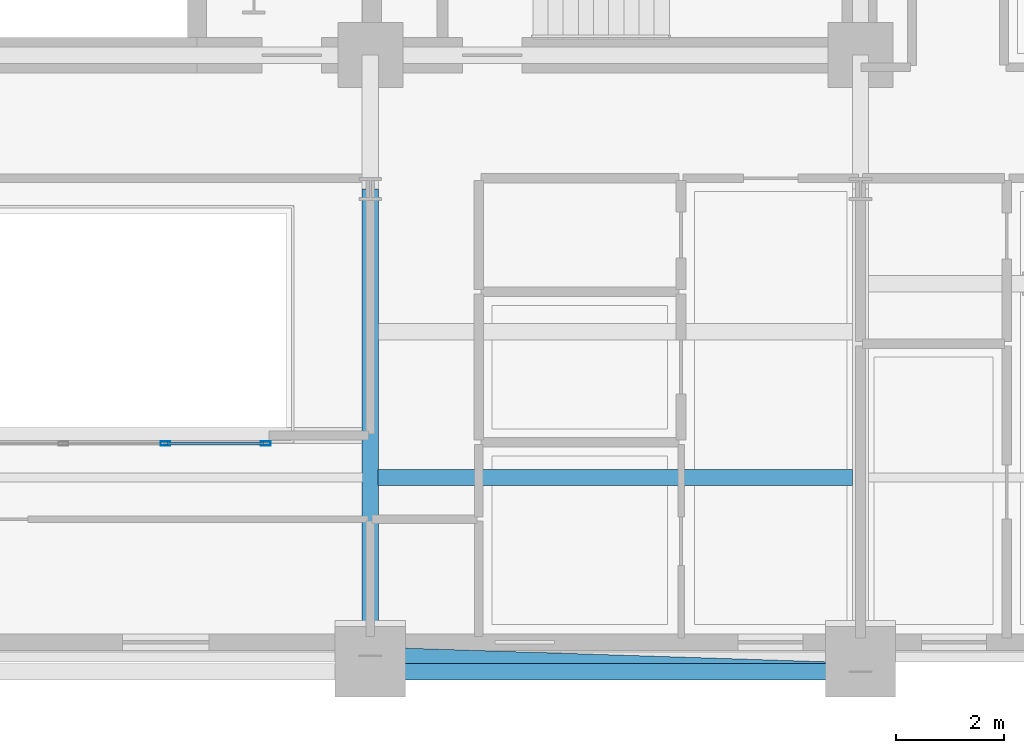
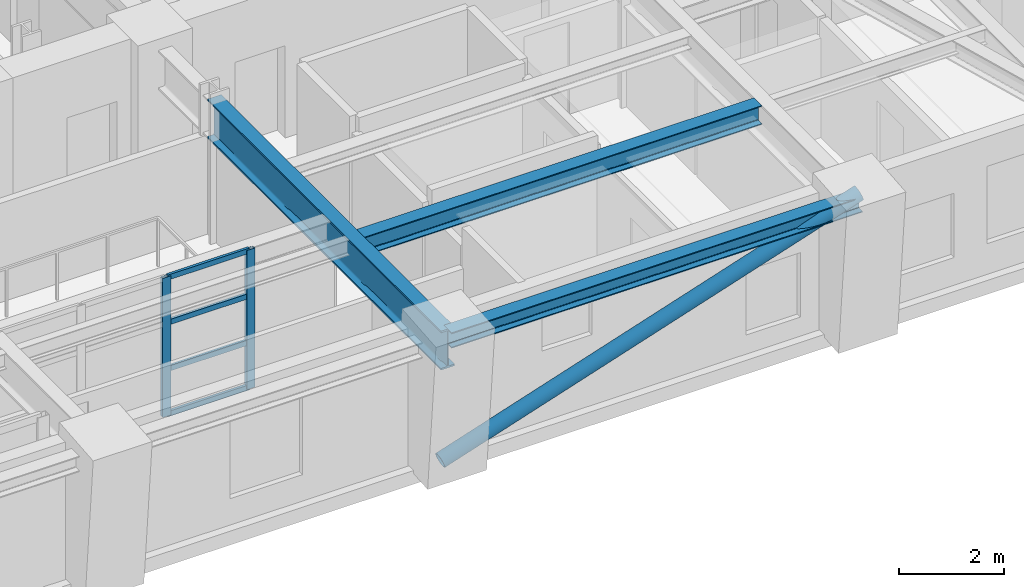
# One storey, part 5 of 16: 7 members, 3 beams, 1 element without a shape of its own.
"""IFC4 building model written with IfcOpenShell, lengths in metres."""

from ifc_helpers import new_model, si_unit, direction, frame, origin, origin_2d, place, context, subcontext, project, spatial, hollow_rectangle, hollow_circle, i_section, extrude, material, layer, layer_set, material_profile, profile_set, type_object, element, aggregate, save


model = new_model("IFC4")

# Units and contexts
model_context = context("Model", 3, precision=1e-05, world=origin(), true_north=direction((0.0, 1.0)))
body_context = subcontext(model_context, "Body", "Model", "MODEL_VIEW")
ifc_project = project(units=[si_unit("LENGTHUNIT", "METRE"), si_unit("AREAUNIT", "SQUARE_METRE"), si_unit("VOLUMEUNIT", "CUBIC_METRE"), si_unit("PLANEANGLEUNIT", "RADIAN"), si_unit("MASSUNIT", "GRAM", prefix="KILO")], contexts=[model_context])

# Site, building, storey
site_placement = place(None, origin())
site = spatial("IfcSite", under=ifc_project, at=site_placement, CompositionType="ELEMENT")
building_placement = place(site_placement, origin())
building = spatial("IfcBuilding", under=site, at=building_placement, Name="Zarnavel Station Tower", CompositionType="ELEMENT")
storey_placement = place(building_placement, frame((0.0, 0.0, 104.800048828125)))
storey = spatial("IfcBuildingStorey", under=building, at=storey_placement, Name="L28", CompositionType="ELEMENT", Elevation=104.800048828125)

# Curtain wall, members
ifc_material_1 = material(Name="Aluminium Dark Anodised and Solar-Control Glass", Category="aluminium")
ifc_layer = layer(ifc_material_1, 0.179931640625)
ifc_layer_set = layer_set([ifc_layer], Name="CWS3")
curtain_wall_type = type_object("IfcCurtainWallType", Name="CWS3", PredefinedType="NOTDEFINED", material=ifc_layer_set)
curtain_wall_placement = place(storey_placement, origin())
curtain_wall = element("IfcCurtainWall", 1, at=curtain_wall_placement, inside=storey, type_object=curtain_wall_type, Name="L28 Curtain Wall CWS3-L28-AS", PredefinedType="NOTDEFINED")
ifc_material_2 = material(Name="Steel S355J2 (Black Fluoropolymer Coated)", Category="steel")
ifc_material_profile_1 = material_profile(ifc_material_2, hollow_rectangle(XDim=0.080078125, YDim=0.179931640625, WallThickness=0.00634765625, at=origin_2d()), Name="RHS180x80x6.3")
ifc_profile_set_1 = profile_set([ifc_material_profile_1], Name="Steel S355J2 (Black Fluoropolymer Coated)")
member_type_1 = type_object("IfcMemberType", Name="CWS3_MUL", PredefinedType="MULLION", material=ifc_profile_set_1)
member_1_placement = place(storey_placement, frame((32.566650390625, 20.64990234375, 0.0), z_axis=(0.0, 0.0, 1.0), x_axis=(0.0, 1.0, 0.0)))
member_1 = element("IfcMember", 2, at=member_1_placement, type_object=member_type_1, Name="CW3 mullion 6", PredefinedType="MULLION", context=body_context, shape_type="SweptSolid", body=[
    extrude(hollow_rectangle(XDim=0.080078125, YDim=0.179931640625, WallThickness=0.00634765625, at=origin_2d()), origin(), (0.0, 0.0, 1.0), 3.239990234375),
])
member_2_placement = place(storey_placement, frame((34.419921875, 20.64990234375, 0.0), z_axis=(0.0, 0.0, 1.0), x_axis=(0.0, 1.0, 0.0)))
member_2 = element("IfcMember", 3, at=member_2_placement, type_object=member_type_1, Name="CW3 mullion 7", PredefinedType="MULLION", context=body_context, shape_type="SweptSolid", body=[
    extrude(hollow_rectangle(XDim=0.080078125, YDim=0.179931640625, WallThickness=0.00634765625, at=origin_2d()), origin(), (0.0, 0.0, 1.0), 3.239990234375),
])
ifc_material_3 = material(Name="Steel S355J2 (Black Fluoropolymer Coated)", Category="steel")
ifc_material_profile_2 = material_profile(ifc_material_3, hollow_rectangle(XDim=0.06005859375, YDim=0.1201171875, WallThickness=0.0048828125, at=origin_2d()), Name="RHS120x60x5")
ifc_profile_set_2 = profile_set([ifc_material_profile_2], Name="Steel S355J2 (Black Fluoropolymer Coated)")
member_type_2 = type_object("IfcMemberType", Name="CWS3_TRN", PredefinedType="USERDEFINED", material=ifc_profile_set_2)
member_3_placement = place(storey_placement, frame((32.5966796875, 20.64990234375, 0.030029296875), z_axis=(1.0, 0.0, 0.0), x_axis=(0.0, 1.0, 0.0)))
member_3 = element("IfcMember", 4, at=member_3_placement, type_object=member_type_2, Name="CW3 transom 6.1", ObjectType="TRANSOM", PredefinedType="USERDEFINED", context=body_context, shape_type="SweptSolid", body=[
    extrude(hollow_rectangle(XDim=0.06005859375, YDim=0.1201171875, WallThickness=0.0048828125, at=origin_2d()), origin(), (0.0, 0.0, 1.0), 1.793212890625),
])
member_4_placement = place(storey_placement, frame((32.5966796875, 20.64990234375, 1.079833984375), z_axis=(1.0, 0.0, 0.0), x_axis=(0.0, 1.0, 0.0)))
member_4 = element("IfcMember", 5, at=member_4_placement, type_object=member_type_2, Name="CW3 transom 6.2", ObjectType="TRANSOM", PredefinedType="USERDEFINED", context=body_context, shape_type="SweptSolid", body=[
    extrude(hollow_rectangle(XDim=0.06005859375, YDim=0.1201171875, WallThickness=0.0048828125, at=origin_2d()), origin(), (0.0, 0.0, 1.0), 1.793212890625),
])
member_5_placement = place(storey_placement, frame((32.5966796875, 20.64990234375, 2.159912109375), z_axis=(1.0, 0.0, 0.0), x_axis=(0.0, 1.0, 0.0)))
member_5 = element("IfcMember", 6, at=member_5_placement, type_object=member_type_2, Name="CW3 transom 6.3", ObjectType="TRANSOM", PredefinedType="USERDEFINED", context=body_context, shape_type="SweptSolid", body=[
    extrude(hollow_rectangle(XDim=0.06005859375, YDim=0.1201171875, WallThickness=0.0048828125, at=origin_2d()), origin(), (0.0, 0.0, 1.0), 1.793212890625),
])
member_6_placement = place(storey_placement, frame((32.5966796875, 20.64990234375, 3.2099609375), z_axis=(1.0, 0.0, 0.0), x_axis=(0.0, 1.0, 0.0)))
member_6 = element("IfcMember", 7, at=member_6_placement, type_object=member_type_2, Name="CW3 transom 6.4", ObjectType="TRANSOM", PredefinedType="USERDEFINED", context=body_context, shape_type="SweptSolid", body=[
    extrude(hollow_rectangle(XDim=0.06005859375, YDim=0.1201171875, WallThickness=0.0048828125, at=origin_2d()), origin(), (0.0, 0.0, 1.0), 1.793212890625),
])
aggregate(curtain_wall, [member_1, member_2, member_3, member_4, member_5, member_6])

# Member
ifc_material_4 = material(Name="Steel S355J2", Category="steel")
ifc_material_profile_3 = material_profile(ifc_material_4, hollow_circle(Radius=0.161865234375, WallThickness=0.012451171875, at=origin_2d()), Name="CHS323.9x12.5")
ifc_profile_set_3 = profile_set([ifc_material_profile_3], Name="Steel S355J2")
member_type_3 = type_object("IfcMemberType", Name="DB_EXT_CHS324", PredefinedType="BRACE", material=ifc_profile_set_3)
member_7_placement = place(storey_placement, frame((36.35009765625, 16.73095703125, 0.0), z_axis=(0.941042303893, -0.030515076327, 0.336909798612), x_axis=(0.032409856061, 0.999474662625, 0.0)))
element("IfcMember", 8, at=member_7_placement, inside=storey, type_object=member_type_3, Name="L28 Persian Exterior Diagonal Frame Brace 2", PredefinedType="BRACE", context=body_context, shape_type="SweptSolid", body=[
    extrude(hollow_circle(Radius=0.161865234375, WallThickness=0.012451171875, at=origin_2d()), origin(), (0.0, 0.0, 1.0), 9.61669921875),
])

# Beams
ifc_material_5 = material(Name="Steel S355J2", Category="steel")
ifc_material_profile_4 = material_profile(ifc_material_5, i_section(OverallWidth=0.300048828125, OverallDepth=0.360107421875, WebThickness=0.012451171875, FlangeThickness=0.0224609375, FilletRadius=0.027099609375, at=origin_2d()), Name="HEB360")
ifc_profile_set_4 = profile_set([ifc_material_profile_4], Name="Steel S355J2")
beam_type_1 = type_object("IfcBeamType", Name="EB_HEB360", PredefinedType="SPANDREL", material=ifc_profile_set_4)
beam_1_placement = place(storey_placement, frame((36.35009765625, 16.4375, 3.06005859375), z_axis=(1.0, 0.0, 0.0), x_axis=(0.0, 1.0, 0.0)))
element("IfcBeam", 9, at=beam_1_placement, inside=storey, type_object=beam_type_1, Name="L28 South Raked Spandrel 4", PredefinedType="SPANDREL", context=body_context, shape_type="SweptSolid", body=[
    extrude(i_section(OverallWidth=0.300048828125, OverallDepth=0.360107421875, WebThickness=0.012451171875, FlangeThickness=0.0224609375, FilletRadius=0.027099609375, at=origin_2d()), origin(), (0.0, 0.0, 1.0), 9.0498046875),
])
ifc_material_6 = material(Name="Steel S355J2", Category="steel")
ifc_material_profile_5 = material_profile(ifc_material_6, i_section(OverallWidth=0.300048828125, OverallDepth=0.43994140625, WebThickness=0.011474609375, FlangeThickness=0.02099609375, FilletRadius=0.027099609375, at=origin_2d()), Name="HEA450")
ifc_profile_set_5 = profile_set([ifc_material_profile_5], Name="Steel S355J2")
beam_type_2 = type_object("IfcBeamType", Name="FB_HEA450", PredefinedType="BEAM", material=ifc_profile_set_5)
beam_2_placement = place(storey_placement, frame((36.4951171875, 20.02490234375, 3.02001953125), z_axis=(1.0, 0.0, 0.0), x_axis=(0.0, 1.0, 0.0)))
element("IfcBeam", 10, at=beam_2_placement, inside=storey, type_object=beam_type_2, Name="L28 East Bay Beam 1", PredefinedType="BEAM", context=body_context, shape_type="SweptSolid", body=[
    extrude(i_section(OverallWidth=0.300048828125, OverallDepth=0.43994140625, WebThickness=0.011474609375, FlangeThickness=0.02099609375, FilletRadius=0.027099609375, at=origin_2d()), origin(), (0.0, 0.0, 1.0), 8.759765625),
])
ifc_material_7 = material(Name="Steel S460M", Category="steel")
ifc_material_profile_6 = material_profile(ifc_material_7, i_section(OverallWidth=0.302001953125, OverallDepth=0.909912109375, WebThickness=0.02099609375, FlangeThickness=0.0400390625, FilletRadius=0.030029296875, at=origin_2d()), Name="HEM900")
ifc_profile_set_6 = profile_set([ifc_material_profile_6], Name="Steel S460M")
beam_type_3 = type_object("IfcBeamType", Name="TG_HEM900", PredefinedType="USERDEFINED", material=ifc_profile_set_6)
beam_3_placement = place(storey_placement, frame((36.35009765625, 16.4375, 2.784912109375), z_axis=(0.0, 1.0, 0.0), x_axis=(-1.0, 0.0, 0.0)))
element("IfcBeam", 11, at=beam_3_placement, inside=storey, type_object=beam_type_3, Name="L28 South-Zone NS Girder 4", ObjectType="GIRDER", PredefinedType="USERDEFINED", context=body_context, shape_type="SweptSolid", body=[
    extrude(i_section(OverallWidth=0.302001953125, OverallDepth=0.909912109375, WebThickness=0.02099609375, FlangeThickness=0.0400390625, FilletRadius=0.030029296875, at=origin_2d()), origin(), (0.0, 0.0, 1.0), 8.91259765625),
])

save(model, "model.ifc")
